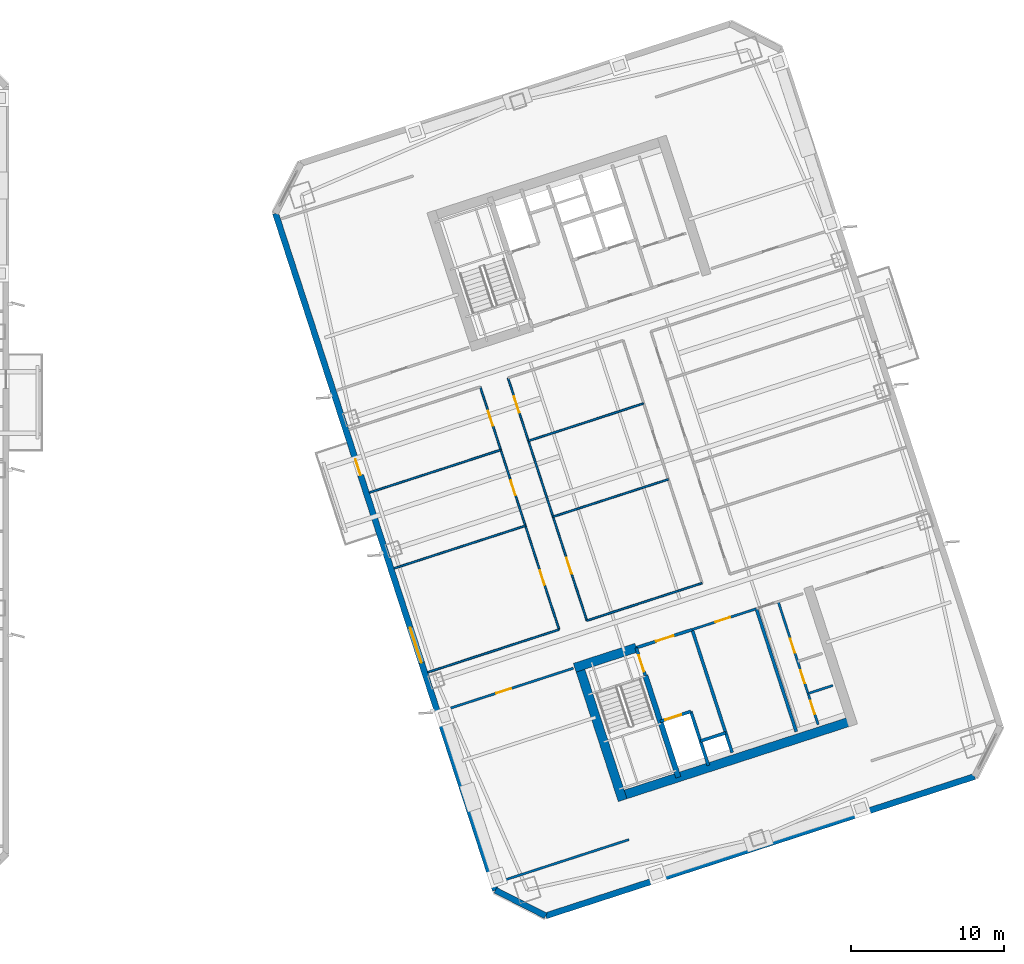
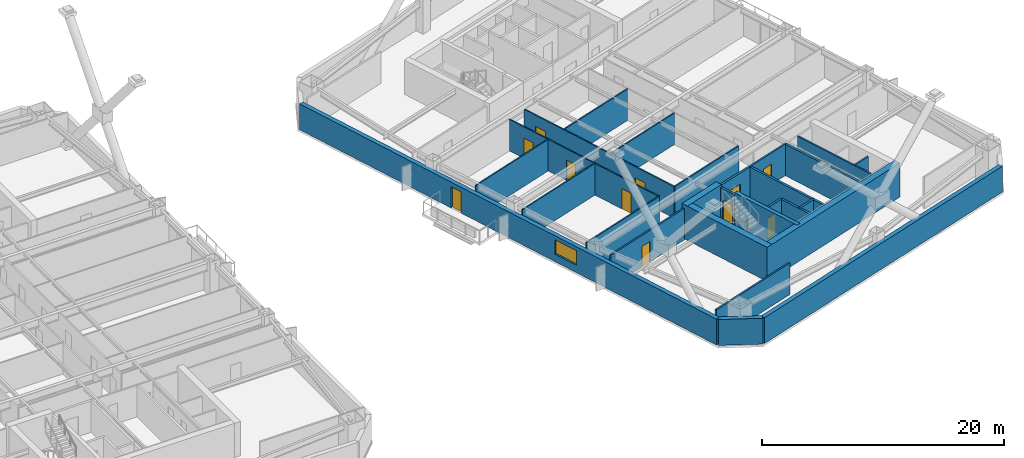
# One storey, part 15 of 24: 27 walls, 14 doors, 1 window, 15 openings.
"""IFC4 building model written with IfcOpenShell, lengths in metres."""

from ifc_helpers import new_model, si_unit, direction, frame, frame_2d, origin, place, context, subcontext, project, spatial, rectangle, extrude, material, layer, layer_set, type_object, element, fill, save


model = new_model("IFC4")

# Units and contexts
model_context = context("Model", 3, precision=1e-05, world=origin(), true_north=direction((0.0, 1.0)))
body_context = subcontext(model_context, "Body", "Model", "MODEL_VIEW")
ifc_project = project(units=[si_unit("LENGTHUNIT", "METRE"), si_unit("AREAUNIT", "SQUARE_METRE"), si_unit("VOLUMEUNIT", "CUBIC_METRE"), si_unit("PLANEANGLEUNIT", "RADIAN"), si_unit("MASSUNIT", "GRAM", prefix="KILO")], contexts=[model_context])

# Site, building, storey
site_placement = place(None, origin())
site = spatial("IfcSite", under=ifc_project, at=site_placement, CompositionType="ELEMENT")
building_placement = place(site_placement, origin())
building = spatial("IfcBuilding", under=site, at=building_placement, Name="Qiaolan Cultural Towers", CompositionType="ELEMENT")
storey_placement = place(building_placement, frame((0.0, 0.0, 120.75)))
storey = spatial("IfcBuildingStorey", under=building, at=storey_placement, Name="L31", CompositionType="ELEMENT", Elevation=120.75)

# Walls
ifc_material_1 = material(Name="Concrete C50", Category="concrete")
ifc_layer_1 = layer(ifc_material_1, 0.35009765625)
ifc_layer_set_1 = layer_set([ifc_layer_1], Name="Concrete C50")
wall_type_1 = type_object("IfcWallType", Name="WL-CORE-350", PredefinedType="SHEAR", material=ifc_layer_set_1)
wall_1_placement = place(storey_placement, frame((90.486328125, 20.59423828125, 0.0), z_axis=(0.0, 0.0, 1.0), x_axis=(0.309020428229, -0.951055400562, 0.0)))
element("IfcWall", 1, at=wall_1_placement, inside=storey, type_object=wall_type_1, Name="L31 T2-CS Stair Core Dividing Web", PredefinedType="SHEAR", context=body_context, shape_type="SweptSolid", body=[
    extrude(rectangle(XDim=6.97998046875, YDim=0.35009765625, at=frame_2d((3.489990234375, 0.0))), origin(), (0.0, 0.0, 1.0), 3.449951171875),
])
ifc_material_2 = material(Name="Concrete C55", Category="concrete")
ifc_layer_2 = layer(ifc_material_2, 0.60009765625)
ifc_layer_set_2 = layer_set([ifc_layer_2], Name="Concrete C55")
wall_type_2 = type_object("IfcWallType", Name="WL-CORE-600", PredefinedType="SHEAR", material=ifc_layer_set_2)
wall_2_placement = place(storey_placement, frame((88.6298828125, 12.65185546875, 0.0), z_axis=(0.0, 0.0, 1.0), x_axis=(0.95105714907, 0.309015046886, 0.0)))
element("IfcWall", 2, at=wall_2_placement, inside=storey, type_object=wall_type_2, Name="L31 T2-CS Outer Core Shear Wall", PredefinedType="SHEAR", context=body_context, shape_type="SweptSolid", body=[
    extrude(rectangle(XDim=16.400146484375, YDim=0.60009765625, at=frame_2d((8.2001953125, 0.0))), origin(), (0.0, 0.0, 1.0), 3.449951171875),
])
wall_3_placement = place(storey_placement, frame((86.078369140625, 21.47509765625, 0.0), z_axis=(0.0, 0.0, 1.0), x_axis=(0.309017938678, -0.951056209472, 0.0)))
element("IfcWall", 3, at=wall_3_placement, inside=storey, type_object=wall_type_2, Name="L31 T2-CS West Core Shear Wall", PredefinedType="SHEAR", context=body_context, shape_type="SweptSolid", body=[
    extrude(rectangle(XDim=9.479736328125, YDim=0.60009765625, at=frame_2d((4.73974609375, 0.0))), origin(), (0.0, 0.0, 1.0), 3.449951171875),
])
wall_4_placement = place(storey_placement, frame((85.8857421875, 21.09716796875, 0.0), z_axis=(0.0, 0.0, 1.0), x_axis=(0.951068073652, 0.308981422225, 0.0)))
element("IfcWall", 4, at=wall_4_placement, inside=storey, type_object=wall_type_2, Name="L31 T2-CS Stair Front Shear Wall", PredefinedType="SHEAR", context=body_context, shape_type="SweptSolid", body=[
    extrude(rectangle(XDim=4.22021484375, YDim=0.60009765625, at=frame_2d((2.110107421875, 0.0))), origin(), (0.0, 0.0, 1.0), 3.449951171875),
])

# Wall, openings, door, window
ifc_material_3 = material(Name="Precast Concrete C50 Honed Stone Pier", Category="masonry")
ifc_layer_3 = layer(ifc_material_3, 0.39990234375)
ifc_layer_set_3 = layer_set([ifc_layer_3], Name="Precast Concrete C50 Honed Stone Pier")
wall_type_3 = type_object("IfcWallType", Name="WL-EXT-PIER-400", PredefinedType="SOLIDWALL", material=ifc_layer_set_3)
wall_5_placement = place(storey_placement, frame((80.7158203125, 6.589599609375, 0.0), z_axis=(0.0, 0.0, 1.0), x_axis=(-0.309017542002, 0.95105633836, 0.0)))
wall_5 = element("IfcWall", 5, at=wall_5_placement, inside=storey, type_object=wall_type_3, Name="L31 East Tower Precast Pier Facade Wall F1", PredefinedType="SOLIDWALL", context=body_context, shape_type="SweptSolid", body=[
    extrude(rectangle(XDim=46.39990234375, YDim=0.39990234375, at=frame_2d((23.199951171875, 0.0))), origin(), (0.0, 0.0, 1.0), 2.610107421875),
])
opening_1_placement = place(wall_5_placement, frame((15.60009765625, 0.0, 0.75)))
opening_1 = element("IfcOpeningElement", 6, at=opening_1_placement, cuts=wall_5, Name="Opening W-02", PredefinedType="OPENING", context=body_context, shape_type="SweptSolid", body=[
    extrude(rectangle(XDim=2.39990234375, YDim=1.4599609375, at=frame_2d((1.199951171875, 0.72998046875))), frame((0.0, 0.2099609375, 0.0), z_axis=(0.0, -1.0, 0.0), x_axis=(1.0, 0.0, 0.0)), (0.0, 0.0, 1.0), 0.419921875),
])
opening_2_placement = place(wall_5_placement, frame((28.449951171875, 0.0, 0.0)))
opening_2 = element("IfcOpeningElement", 7, at=opening_2_placement, cuts=wall_5, Name="Opening BD-01", PredefinedType="OPENING", context=body_context, shape_type="SweptSolid", body=[
    extrude(rectangle(XDim=1.10009765625, YDim=2.14990234375, at=frame_2d((0.550048828125, 1.074951171875))), frame((0.0, 0.2099609375, 0.0), z_axis=(0.0, -1.0, 0.0), x_axis=(1.0, 0.0, 0.0)), (0.0, 0.0, 1.0), 0.419921875),
])
ifc_material_4 = material(Name="Thermally Broken Aluminium Glazed Terrace Door", Category="aluminium")
door_type_1 = type_object("IfcDoorType", Name="DR-BAL-1100", OperationType="NOTDEFINED", PredefinedType="DOOR", material=ifc_material_4)
door_1_placement = place(opening_2_placement, origin())
door_1 = element("IfcDoor", 8, at=door_1_placement, inside=storey, type_object=door_type_1, Name="L31 T2 West Tree Balcony Door", OperationType="SINGLE_SWING_LEFT", OverallHeight=2.14990234375, OverallWidth=1.10009765625, PredefinedType="DOOR", context=body_context, shape_type="SweptSolid", body=[
    extrude(rectangle(XDim=1.10009765625, YDim=2.14990234375, at=frame_2d((0.550048828125, 1.074951171875))), frame((0.0, 0.02490234375, 0.0), z_axis=(0.0, -1.0, 0.0), x_axis=(1.0, 0.0, 0.0)), (0.0, 0.0, 1.0), 0.050048828125),
])
fill(opening_2, door_1)
ifc_material_5 = material(Name="Thermally Broken Aluminium Triple Low-E Glazing", Category="aluminium")
window_type = type_object("IfcWindowType", Name="WN-CHIC-2400", PartitioningType="SINGLE_PANEL", PredefinedType="WINDOW", material=ifc_material_5)
window_placement = place(opening_1_placement, origin())
window = element("IfcWindow", 9, at=window_placement, inside=storey, type_object=window_type, Name="L31 T2 W Chicago Bay Window 1", OverallHeight=1.4599609375, OverallWidth=2.39990234375, PartitioningType="TRIPLE_PANEL_VERTICAL", PredefinedType="WINDOW", context=body_context, shape_type="SweptSolid", body=[
    extrude(rectangle(XDim=2.39990234375, YDim=1.4599609375, at=frame_2d((1.199951171875, 0.72998046875))), frame((0.0, 0.030029296875, 0.0), z_axis=(0.0, -1.0, 0.0), x_axis=(1.0, 0.0, 0.0)), (0.0, 0.0, 1.0), 0.06005859375),
])
fill(opening_1, window)

# Walls
wall_6_placement = place(storey_placement, frame((111.953125, 14.00537109375, 0.0), z_axis=(0.0, 0.0, 1.0), x_axis=(-0.95105505922, -0.309021478754, 0.0)))
element("IfcWall", 10, at=wall_6_placement, inside=storey, type_object=wall_type_3, Name="L31 East Tower Precast Pier Facade Wall F7", PredefinedType="SOLIDWALL", context=body_context, shape_type="SweptSolid", body=[
    extrude(rectangle(XDim=29.39990234375, YDim=0.39990234375, at=frame_2d((14.699951171875, 0.0))), origin(), (0.0, 0.0, 1.0), 2.610107421875),
])
wall_7_placement = place(storey_placement, frame((83.9921875, 4.920166015625, 0.0), z_axis=(0.0, 0.0, 1.0), x_axis=(-0.891001999643, 0.45399937955, 0.0)))
element("IfcWall", 11, at=wall_7_placement, inside=storey, type_object=wall_type_3, Name="L31 East Tower Precast Pier Facade Wall F8", PredefinedType="SOLIDWALL", context=body_context, shape_type="SweptSolid", body=[
    extrude(rectangle(XDim=3.67724609375, YDim=0.39990234375, at=frame_2d((1.838623046875, 0.0))), origin(), (0.0, 0.0, 1.0), 2.610107421875),
])

# Wall, opening, door
ifc_material_6 = material(Name="Concrete C35 Fire Wall", Category="concrete")
ifc_layer_4 = layer(ifc_material_6, 0.199951171875)
ifc_layer_set_4 = layer_set([ifc_layer_4], Name="Concrete C35 Fire Wall")
wall_type_4 = type_object("IfcWallType", Name="WL-FIRE-200", PredefinedType="PARTITIONING", material=ifc_layer_set_4)
wall_8_placement = place(storey_placement, frame((89.8994140625, 22.401123046875, 0.0), z_axis=(0.0, 0.0, 1.0), x_axis=(0.308932062672, -0.951084108086, 0.0)))
wall_8 = element("IfcWall", 12, at=wall_8_placement, inside=storey, type_object=wall_type_4, Name="L31 T2-CS Smokeproof Stair Entry Wall", PredefinedType="PARTITIONING", context=body_context, shape_type="SweptSolid", body=[
    extrude(rectangle(XDim=1.89990234375, YDim=0.199951171875, at=frame_2d((0.949951171875, 0.0))), origin(), (0.0, 0.0, 1.0), 3.175048828125),
])
opening_3_placement = place(wall_8_placement, frame((0.52001953125, 0.0, 0.0)))
opening_3 = element("IfcOpeningElement", 13, at=opening_3_placement, cuts=wall_8, Name="Opening FD-04", PredefinedType="OPENING", context=body_context, shape_type="SweptSolid", body=[
    extrude(rectangle(XDim=1.10009765625, YDim=2.050048828125, at=frame_2d((0.550048828125, 1.02490234375))), frame((0.0, 0.10986328125, 0.0), z_axis=(0.0, -1.0, 0.0), x_axis=(1.0, 0.0, 0.0)), (0.0, 0.0, 1.0), 0.219970703125),
])
ifc_material_7 = material(Name="Galvanized Steel Command Fire Door", Category="steel")
door_type_2 = type_object("IfcDoorType", Name="DR-FD90-1100", OperationType="NOTDEFINED", PredefinedType="DOOR", material=ifc_material_7)
door_2_placement = place(opening_3_placement, origin())
door_2 = element("IfcDoor", 14, at=door_2_placement, inside=storey, type_object=door_type_2, Name="L31 ST-E1 Smokeproof Stair Fire Door", OperationType="SINGLE_SWING_LEFT", OverallHeight=2.050048828125, OverallWidth=1.10009765625, PredefinedType="DOOR", context=body_context, shape_type="SweptSolid", body=[
    extrude(rectangle(XDim=1.10009765625, YDim=2.050048828125, at=frame_2d((0.550048828125, 1.02490234375))), frame((0.0, 0.02490234375, 0.0), z_axis=(0.0, -1.0, 0.0), x_axis=(1.0, 0.0, 0.0)), (0.0, 0.0, 1.0), 0.050048828125),
])
fill(opening_3, door_2)

# Wall
wall_9_placement = place(storey_placement, frame((93.541748046875, 23.584716796875, 0.0), z_axis=(0.0, 0.0, 1.0), x_axis=(0.309042196757, -0.951048327176, 0.0)))
element("IfcWall", 15, at=wall_9_placement, inside=storey, type_object=wall_type_4, Name="L31 T2-CS Firefighting Zone Wall", PredefinedType="PARTITIONING", context=body_context, shape_type="SweptSolid", body=[
    extrude(rectangle(XDim=8.429931640625, YDim=0.199951171875, at=frame_2d((4.21484375, 0.0))), origin(), (0.0, 0.0, 1.0), 3.175048828125),
])

# Wall, opening, door
wall_10_placement = place(storey_placement, frame((89.8994140625, 22.401123046875, 0.0), z_axis=(0.0, 0.0, 1.0), x_axis=(0.951046716504, 0.309047153403, 0.0)))
wall_10 = element("IfcWall", 16, at=wall_10_placement, inside=storey, type_object=wall_type_4, Name="L31 T2-CS Firefighting Lobby Front Wall", PredefinedType="PARTITIONING", context=body_context, shape_type="SweptSolid", body=[
    extrude(rectangle(XDim=3.829833984375, YDim=0.199951171875, at=frame_2d((1.9150390625, 0.0))), origin(), (0.0, 0.0, 1.0), 3.175048828125),
])
opening_4_placement = place(wall_10_placement, frame((1.35009765625, 0.0, 0.0)))
opening_4 = element("IfcOpeningElement", 17, at=opening_4_placement, cuts=wall_10, Name="Opening FD-03", PredefinedType="OPENING", context=body_context, shape_type="SweptSolid", body=[
    extrude(rectangle(XDim=1.199951171875, YDim=2.050048828125, at=frame_2d((0.60009765625, 1.02490234375))), frame((0.0, 0.10986328125, 0.0), z_axis=(0.0, -1.0, 0.0), x_axis=(1.0, 0.0, 0.0)), (0.0, 0.0, 1.0), 0.219970703125),
])
ifc_material_8 = material(Name="Galvanized Steel Smokeproof Lobby Fire Door", Category="steel")
door_type_3 = type_object("IfcDoorType", Name="DR-FD90-1200", OperationType="NOTDEFINED", PredefinedType="DOOR", material=ifc_material_8)
door_3_placement = place(opening_4_placement, origin())
door_3 = element("IfcDoor", 18, at=door_3_placement, inside=storey, type_object=door_type_3, Name="L31 FFL-E1 Firefighting Lobby Fire Door", OperationType="SINGLE_SWING_LEFT", OverallHeight=2.050048828125, OverallWidth=1.199951171875, PredefinedType="DOOR", context=body_context, shape_type="SweptSolid", body=[
    extrude(rectangle(XDim=1.199951171875, YDim=2.050048828125, at=frame_2d((0.60009765625, 1.02490234375))), frame((0.0, 0.02490234375, 0.0), z_axis=(0.0, -1.0, 0.0), x_axis=(1.0, 0.0, 0.0)), (0.0, 0.0, 1.0), 0.050048828125),
])
fill(opening_4, door_3)

wall_11_placement = place(storey_placement, frame((91.459716796875, 17.598388671875, 0.0), z_axis=(0.0, 0.0, 1.0), x_axis=(0.951062257173, 0.308999325213, 0.0)))
wall_11 = element("IfcWall", 19, at=wall_11_placement, inside=storey, type_object=wall_type_4, Name="L31 T2-CS Firefighting Shaft Front Wall", PredefinedType="PARTITIONING", context=body_context, shape_type="SweptSolid", body=[
    extrude(rectangle(XDim=2.10009765625, YDim=0.199951171875, at=frame_2d((1.050048828125, 0.0))), origin(), (0.0, 0.0, 1.0), 3.175048828125),
])
opening_5_placement = place(wall_11_placement, frame((0.35009765625, 0.0, 0.0)))
opening_5 = element("IfcOpeningElement", 20, at=opening_5_placement, cuts=wall_11, Name="Opening LD-01", PredefinedType="OPENING", context=body_context, shape_type="SweptSolid", body=[
    extrude(rectangle(XDim=1.10009765625, YDim=2.050048828125, at=frame_2d((0.550048828125, 1.02490234375))), frame((0.0, 0.10986328125, 0.0), z_axis=(0.0, -1.0, 0.0), x_axis=(1.0, 0.0, 0.0)), (0.0, 0.0, 1.0), 0.219970703125),
])
ifc_material_9 = material(Name="Brushed Stainless Steel S30408 Centre-Parting Lift Landing Door", Category="steel")
door_type_4 = type_object("IfcDoorType", Name="DR-LIFT-1100", OperationType="NOTDEFINED", PredefinedType="DOOR", material=ifc_material_9)
door_4_placement = place(opening_5_placement, origin())
door_4 = element("IfcDoor", 21, at=door_4_placement, inside=storey, type_object=door_type_4, Name="L31 FFL-E1 Firefighting Lift Landing Door", OperationType="DOUBLE_DOOR_SLIDING", OverallHeight=2.050048828125, OverallWidth=1.10009765625, PredefinedType="DOOR", context=body_context, shape_type="SweptSolid", body=[
    extrude(rectangle(XDim=1.10009765625, YDim=2.050048828125, at=frame_2d((0.550048828125, 1.02490234375))), frame((0.0, 0.02490234375, 0.0), z_axis=(0.0, -1.0, 0.0), x_axis=(1.0, 0.0, 0.0)), (0.0, 0.0, 1.0), 0.050048828125),
])
fill(opening_5, door_4)

# Walls
wall_12_placement = place(storey_placement, frame((93.45703125, 18.247314453125, 0.0), z_axis=(0.0, 0.0, 1.0), x_axis=(0.3089935693, -0.951064127245, 0.0)))
element("IfcWall", 22, at=wall_12_placement, inside=storey, type_object=wall_type_4, Name="L31 T2-CS Firefighting Hoistway East Wall", PredefinedType="PARTITIONING", context=body_context, shape_type="SweptSolid", body=[
    extrude(rectangle(XDim=3.7001953125, YDim=0.199951171875, at=frame_2d((1.85009765625, 0.0))), origin(), (0.0, 0.0, 1.0), 3.175048828125),
])
wall_13_placement = place(storey_placement, frame((94.08447265625, 16.316650390625, 0.0), z_axis=(0.0, 0.0, 1.0), x_axis=(0.951041328149, 0.309063734775, 0.0)))
element("IfcWall", 23, at=wall_13_placement, inside=storey, type_object=wall_type_4, Name="L31 T2-CS Pressurization Shaft Front Wall", PredefinedType="PARTITIONING", context=body_context, shape_type="SweptSolid", body=[
    extrude(rectangle(XDim=1.72998046875, YDim=0.199951171875, at=frame_2d((0.864990234375, 0.0))), origin(), (0.0, 0.0, 1.0), 3.175048828125),
])
wall_14_placement = place(storey_placement, frame((97.7265625, 24.9443359375, 0.0), z_axis=(0.0, 0.0, 1.0), x_axis=(0.309016001439, -0.951056838919, 0.0)))
element("IfcWall", 24, at=wall_14_placement, inside=storey, type_object=wall_type_4, Name="L31 T2-CS Lift Core East Wall", PredefinedType="PARTITIONING", context=body_context, shape_type="SweptSolid", body=[
    extrude(rectangle(XDim=8.429931640625, YDim=0.199951171875, at=frame_2d((4.21484375, 0.0))), origin(), (0.0, 0.0, 1.0), 3.175048828125),
])
ifc_material_10 = material(Name="Gypsum Stud Acoustic Partition", Category="gypsum")
ifc_layer_5 = layer(ifc_material_10, 0.1201171875)
ifc_layer_set_5 = layer_set([ifc_layer_5], Name="Gypsum Stud Acoustic Partition")
wall_type_5 = type_object("IfcWallType", Name="WL-PART-120", PredefinedType="PARTITIONING", material=ifc_layer_set_5)
wall_15_placement = place(storey_placement, frame((76.307861328125, 20.802978515625, 0.0), z_axis=(0.0, 0.0, 1.0), x_axis=(0.951054001411, 0.309024734286, 0.0)))
element("IfcWall", 25, at=wall_15_placement, inside=storey, type_object=wall_type_5, Name="L31 T2 Interior Wall", PredefinedType="PARTITIONING", context=body_context, shape_type="SweptSolid", body=[
    extrude(rectangle(XDim=9.0, YDim=0.1201171875, at=frame_2d((4.5, 0.0))), origin(), (0.0, 0.0, 1.0), 3.175048828125),
])
wall_16_placement = place(storey_placement, frame((86.674560546875, 24.17138671875, 0.0), z_axis=(0.0, 0.0, 1.0), x_axis=(0.951057231385, 0.309014793547, 0.0)))
element("IfcWall", 26, at=wall_16_placement, inside=storey, type_object=wall_type_5, Name="L31 T2 Interior Wall", PredefinedType="PARTITIONING", context=body_context, shape_type="SweptSolid", body=[
    extrude(rectangle(XDim=7.89990234375, YDim=0.1201171875, at=frame_2d((3.949951171875, 0.0))), origin(), (0.0, 0.0, 1.0), 3.175048828125),
])

# Wall, openings, doors
wall_17_placement = place(storey_placement, frame((84.867431640625, 23.584228515625, 0.0), z_axis=(0.0, 0.0, 1.0), x_axis=(-0.309022042254, 0.951054876125, 0.0)))
wall_17 = element("IfcWall", 27, at=wall_17_placement, inside=storey, type_object=wall_type_5, Name="L31 T2 Interior Wall", PredefinedType="PARTITIONING", context=body_context, shape_type="SweptSolid", body=[
    extrude(rectangle(XDim=16.639892578125, YDim=0.1201171875, at=frame_2d((8.31982421875, 0.0))), origin(), (0.0, 0.0, 1.0), 3.175048828125),
])
opening_6_placement = place(wall_17_placement, frame((3.06005859375, 0.0, 0.0)))
opening_6 = element("IfcOpeningElement", 28, at=opening_6_placement, cuts=wall_17, Name="Opening ID-04", PredefinedType="OPENING", context=body_context, shape_type="SweptSolid", body=[
    extrude(rectangle(XDim=1.0, YDim=2.050048828125, at=frame_2d((0.5, 1.02490234375))), frame((0.0, 0.070068359375, 0.0), z_axis=(0.0, -1.0, 0.0), x_axis=(1.0, 0.0, 0.0)), (0.0, 0.0, 1.0), 0.14013671875),
])
opening_7_placement = place(wall_17_placement, frame((9.219970703125, 0.0, 0.0)))
opening_7 = element("IfcOpeningElement", 29, at=opening_7_placement, cuts=wall_17, Name="Opening ID-04", PredefinedType="OPENING", context=body_context, shape_type="SweptSolid", body=[
    extrude(rectangle(XDim=1.0, YDim=2.050048828125, at=frame_2d((0.5, 1.02490234375))), frame((0.0, 0.070068359375, 0.0), z_axis=(0.0, -1.0, 0.0), x_axis=(1.0, 0.0, 0.0)), (0.0, 0.0, 1.0), 0.14013671875),
])
opening_8_placement = place(wall_17_placement, frame((13.97998046875, 0.0, 0.0)))
opening_8 = element("IfcOpeningElement", 30, at=opening_8_placement, cuts=wall_17, Name="Opening ID-04", PredefinedType="OPENING", context=body_context, shape_type="SweptSolid", body=[
    extrude(rectangle(XDim=1.0, YDim=2.050048828125, at=frame_2d((0.5, 1.02490234375))), frame((0.0, 0.070068359375, 0.0), z_axis=(0.0, -1.0, 0.0), x_axis=(1.0, 0.0, 0.0)), (0.0, 0.0, 1.0), 0.14013671875),
])
ifc_material_11 = material(Name="Oak Veneer Acoustic Office Door", Category="timber")
door_type_5 = type_object("IfcDoorType", Name="DR-INT-1000", OperationType="NOTDEFINED", PredefinedType="DOOR", material=ifc_material_11)
door_5_placement = place(opening_6_placement, origin())
door_5 = element("IfcDoor", 31, at=door_5_placement, inside=storey, type_object=door_type_5, Name="L31 T2 Publication Showroom Door", OperationType="SINGLE_SWING_LEFT", OverallHeight=2.050048828125, OverallWidth=1.0, PredefinedType="DOOR", context=body_context, shape_type="SweptSolid", body=[
    extrude(rectangle(XDim=1.0, YDim=2.050048828125, at=frame_2d((0.5, 1.02490234375))), frame((0.0, 0.02490234375, 0.0), z_axis=(0.0, -1.0, 0.0), x_axis=(1.0, 0.0, 0.0)), (0.0, 0.0, 1.0), 0.050048828125),
])
fill(opening_6, door_5)
door_6_placement = place(opening_7_placement, origin())
door_6 = element("IfcDoor", 32, at=door_6_placement, inside=storey, type_object=door_type_5, Name="L31 T2 Publication Showroom Door", OperationType="SINGLE_SWING_RIGHT", OverallHeight=2.050048828125, OverallWidth=1.0, PredefinedType="DOOR", context=body_context, shape_type="SweptSolid", body=[
    extrude(rectangle(XDim=1.0, YDim=2.050048828125, at=frame_2d((0.5, 1.02490234375))), frame((0.0, 0.02490234375, 0.0), z_axis=(0.0, -1.0, 0.0), x_axis=(1.0, 0.0, 0.0)), (0.0, 0.0, 1.0), 0.050048828125),
])
fill(opening_7, door_6)
door_7_placement = place(opening_8_placement, origin())
door_7 = element("IfcDoor", 33, at=door_7_placement, inside=storey, type_object=door_type_5, Name="L31 T2 Cataloguing Kitchenette Door", OperationType="SINGLE_SWING_LEFT", OverallHeight=2.050048828125, OverallWidth=1.0, PredefinedType="DOOR", context=body_context, shape_type="SweptSolid", body=[
    extrude(rectangle(XDim=1.0, YDim=2.050048828125, at=frame_2d((0.5, 1.02490234375))), frame((0.0, 0.02490234375, 0.0), z_axis=(0.0, -1.0, 0.0), x_axis=(1.0, 0.0, 0.0)), (0.0, 0.0, 1.0), 0.050048828125),
])
fill(opening_8, door_7)

wall_18_placement = place(storey_placement, frame((86.674560546875, 24.17138671875, 0.0), z_axis=(0.0, 0.0, 1.0), x_axis=(-0.309022042254, 0.951054876125, 0.0)))
wall_18 = element("IfcWall", 34, at=wall_18_placement, inside=storey, type_object=wall_type_5, Name="L31 T2 Interior Wall", PredefinedType="PARTITIONING", context=body_context, shape_type="SweptSolid", body=[
    extrude(rectangle(XDim=16.639892578125, YDim=0.1201171875, at=frame_2d((8.31982421875, 0.0))), origin(), (0.0, 0.0, 1.0), 3.175048828125),
])
opening_9_placement = place(wall_18_placement, frame((3.2041015625, 0.0, 0.0)))
opening_9 = element("IfcOpeningElement", 35, at=opening_9_placement, cuts=wall_18, Name="Opening ID-03", PredefinedType="OPENING", context=body_context, shape_type="SweptSolid", body=[
    extrude(rectangle(XDim=1.10009765625, YDim=2.050048828125, at=frame_2d((0.550048828125, 1.02490234375))), frame((0.0, 0.070068359375, 0.0), z_axis=(0.0, -1.0, 0.0), x_axis=(1.0, 0.0, 0.0)), (0.0, 0.0, 1.0), 0.14013671875),
])
opening_10_placement = place(wall_18_placement, frame((14.263916015625, 0.0, 0.0)))
opening_10 = element("IfcOpeningElement", 36, at=opening_10_placement, cuts=wall_18, Name="Opening ID-03", PredefinedType="OPENING", context=body_context, shape_type="SweptSolid", body=[
    extrude(rectangle(XDim=1.10009765625, YDim=2.050048828125, at=frame_2d((0.550048828125, 1.02490234375))), frame((0.0, 0.070068359375, 0.0), z_axis=(0.0, -1.0, 0.0), x_axis=(1.0, 0.0, 0.0)), (0.0, 0.0, 1.0), 0.14013671875),
])
ifc_material_12 = material(Name="Oak Veneer Solid-Core Boardroom Door", Category="timber")
door_type_6 = type_object("IfcDoorType", Name="DR-INT-1100", OperationType="NOTDEFINED", PredefinedType="DOOR", material=ifc_material_12)
door_8_placement = place(opening_9_placement, origin())
door_8 = element("IfcDoor", 37, at=door_8_placement, inside=storey, type_object=door_type_6, Name="L31 T2 Central Boardroom Door", OperationType="SINGLE_SWING_LEFT", OverallHeight=2.050048828125, OverallWidth=1.10009765625, PredefinedType="DOOR", context=body_context, shape_type="SweptSolid", body=[
    extrude(rectangle(XDim=1.10009765625, YDim=2.050048828125, at=frame_2d((0.550048828125, 1.02490234375))), frame((0.0, 0.02490234375, 0.0), z_axis=(0.0, -1.0, 0.0), x_axis=(1.0, 0.0, 0.0)), (0.0, 0.0, 1.0), 0.050048828125),
])
fill(opening_9, door_8)
door_9_placement = place(opening_10_placement, origin())
door_9 = element("IfcDoor", 38, at=door_9_placement, inside=storey, type_object=door_type_6, Name="L31 T2 Central Archive Room Door", OperationType="SINGLE_SWING_RIGHT", OverallHeight=2.050048828125, OverallWidth=1.10009765625, PredefinedType="DOOR", context=body_context, shape_type="SweptSolid", body=[
    extrude(rectangle(XDim=1.10009765625, YDim=2.050048828125, at=frame_2d((0.550048828125, 1.02490234375))), frame((0.0, 0.02490234375, 0.0), z_axis=(0.0, -1.0, 0.0), x_axis=(1.0, 0.0, 0.0)), (0.0, 0.0, 1.0), 0.050048828125),
])
fill(opening_10, door_9)

# Walls
for number, where, z_axis, x_axis, name in (
    (39, (84.474365234375, 30.94287109375, 0.0), (0.0, 0.0, 1.0), (0.951057231385, 0.309014793547, 0.0), "L31 T2 Interior Wall"),
    (40, (82.867431640625, 35.888427734375, 0.0), (0.0, 0.0, 1.0), (0.951057231385, 0.309014793547, 0.0), "L31 T2 Interior Wall"),
):
    element("IfcWall", number, at=place(storey_placement, frame(where, z_axis=z_axis, x_axis=x_axis)), inside=storey, type_object=wall_type_5, Name=name, PredefinedType="PARTITIONING", context=body_context, shape_type="SweptSolid", body=[
        extrude(rectangle(XDim=7.89990234375, YDim=0.1201171875, at=frame_2d((3.949951171875, 0.0))), origin(), (0.0, 0.0, 1.0), 3.175048828125),
    ])
wall_19_placement = place(storey_placement, frame((74.107666015625, 27.574462890625, 0.0), z_axis=(0.0, 0.0, 1.0), x_axis=(0.951054001411, 0.309024734286, 0.0)))
element("IfcWall", 41, at=wall_19_placement, inside=storey, type_object=wall_type_5, Name="L31 T2 Interior Wall", PredefinedType="PARTITIONING", context=body_context, shape_type="SweptSolid", body=[
    extrude(rectangle(XDim=9.0, YDim=0.1201171875, at=frame_2d((4.5, 0.0))), origin(), (0.0, 0.0, 1.0), 3.175048828125),
])
wall_20_placement = place(storey_placement, frame((72.5009765625, 32.52001953125, 0.0), z_axis=(0.0, 0.0, 1.0), x_axis=(0.951051410833, 0.309032706929, 0.0)))
element("IfcWall", 42, at=wall_20_placement, inside=storey, type_object=wall_type_5, Name="L31 T2 Interior Wall", PredefinedType="PARTITIONING", context=body_context, shape_type="SweptSolid", body=[
    extrude(rectangle(XDim=8.999755859375, YDim=0.1201171875, at=frame_2d((4.5, 0.0))), origin(), (0.0, 0.0, 1.0), 3.175048828125),
])

# Wall, opening, door
ifc_material_13 = material(Name="Autoclaved Aerated Concrete Block B06", Category="concrete")
ifc_layer_6 = layer(ifc_material_13, 0.14990234375)
ifc_layer_set_6 = layer_set([ifc_layer_6], Name="Autoclaved Aerated Concrete Block B06")
wall_type_6 = type_object("IfcWallType", Name="WL-PART-150", PredefinedType="PARTITIONING", material=ifc_layer_set_6)
wall_21_placement = place(storey_placement, frame((93.541748046875, 23.584716796875, 0.0), z_axis=(0.0, 0.0, 1.0), x_axis=(0.951063829732, 0.308994485023, 0.0)))
wall_21 = element("IfcWall", 43, at=wall_21_placement, inside=storey, type_object=wall_type_6, Name="L31 T2-CS Reclaimed Core Room Front Wall", PredefinedType="PARTITIONING", context=body_context, shape_type="SweptSolid", body=[
    extrude(rectangle(XDim=4.400146484375, YDim=0.14990234375, at=frame_2d((2.2001953125, 0.0))), origin(), (0.0, 0.0, 1.0), 3.175048828125),
])
opening_11_placement = place(wall_21_placement, frame((1.60009765625, 0.0, 0.0)))
opening_11 = element("IfcOpeningElement", 44, at=opening_11_placement, cuts=wall_21, Name="Opening ID-04", PredefinedType="OPENING", context=body_context, shape_type="SweptSolid", body=[
    extrude(rectangle(XDim=1.0, YDim=2.050048828125, at=frame_2d((0.5, 1.02490234375))), frame((0.0, 0.0849609375, 0.0), z_axis=(0.0, -1.0, 0.0), x_axis=(1.0, 0.0, 0.0)), (0.0, 0.0, 1.0), 0.169921875),
])
door_10_placement = place(opening_11_placement, origin())
door_10 = element("IfcDoor", 45, at=door_10_placement, inside=storey, type_object=door_type_5, Name="L31 Reclaimed Archive Room Door", OperationType="SINGLE_SWING_LEFT", OverallHeight=2.050048828125, OverallWidth=1.0, PredefinedType="DOOR", context=body_context, shape_type="SweptSolid", body=[
    extrude(rectangle(XDim=1.0, YDim=2.050048828125, at=frame_2d((0.5, 1.02490234375))), frame((0.0, 0.02490234375, 0.0), z_axis=(0.0, -1.0, 0.0), x_axis=(1.0, 0.0, 0.0)), (0.0, 0.0, 1.0), 0.050048828125),
])
fill(opening_11, door_10)

# Wall, openings, doors
wall_22_placement = place(storey_placement, frame((99.153076171875, 25.407958984375, 0.0), z_axis=(0.0, 0.0, 1.0), x_axis=(0.309016001439, -0.951056838919, 0.0)))
wall_22 = element("IfcWall", 46, at=wall_22_placement, inside=storey, type_object=wall_type_6, Name="L31 T2-CS Sanitary Vestibule Wall", PredefinedType="PARTITIONING", context=body_context, shape_type="SweptSolid", body=[
    extrude(rectangle(XDim=8.429931640625, YDim=0.14990234375, at=frame_2d((4.21484375, 0.0))), origin(), (0.0, 0.0, 1.0), 3.175048828125),
])
opening_12_placement = place(wall_22_placement, frame((2.550048828125, 0.0, 0.0)))
opening_12 = element("IfcOpeningElement", 47, at=opening_12_placement, cuts=wall_22, Name="Opening ID-05", PredefinedType="OPENING", context=body_context, shape_type="SweptSolid", body=[
    extrude(rectangle(XDim=0.949951171875, YDim=2.050048828125, at=frame_2d((0.47509765625, 1.02490234375))), frame((0.0, 0.0849609375, 0.0), z_axis=(0.0, -1.0, 0.0), x_axis=(1.0, 0.0, 0.0)), (0.0, 0.0, 1.0), 0.169921875),
])
opening_13_placement = place(wall_22_placement, frame((4.699951171875, 0.0, 0.0)))
opening_13 = element("IfcOpeningElement", 48, at=opening_13_placement, cuts=wall_22, Name="Opening ID-06", PredefinedType="OPENING", context=body_context, shape_type="SweptSolid", body=[
    extrude(rectangle(XDim=0.89990234375, YDim=2.050048828125, at=frame_2d((0.449951171875, 1.02490234375))), frame((0.0, 0.0849609375, 0.0), z_axis=(0.0, -1.0, 0.0), x_axis=(1.0, 0.0, 0.0)), (0.0, 0.0, 1.0), 0.169921875),
])
opening_14_placement = place(wall_22_placement, frame((6.800048828125, 0.0, 0.0)))
opening_14 = element("IfcOpeningElement", 49, at=opening_14_placement, cuts=wall_22, Name="Opening ID-06", PredefinedType="OPENING", context=body_context, shape_type="SweptSolid", body=[
    extrude(rectangle(XDim=0.89990234375, YDim=2.050048828125, at=frame_2d((0.449951171875, 1.02490234375))), frame((0.0, 0.0849609375, 0.0), z_axis=(0.0, -1.0, 0.0), x_axis=(1.0, 0.0, 0.0)), (0.0, 0.0, 1.0), 0.169921875),
])
ifc_material_14 = material(Name="Fire-Rated Laminate Core Service Door", Category="timber")
door_type_7 = type_object("IfcDoorType", Name="DR-INT-900", OperationType="NOTDEFINED", PredefinedType="DOOR", material=ifc_material_14)
door_11_placement = place(opening_13_placement, origin())
door_11 = element("IfcDoor", 50, at=door_11_placement, inside=storey, type_object=door_type_7, Name="L31 Men Washroom Door", OperationType="SINGLE_SWING_LEFT", OverallHeight=2.050048828125, OverallWidth=0.89990234375, PredefinedType="DOOR", context=body_context, shape_type="SweptSolid", body=[
    extrude(rectangle(XDim=0.89990234375, YDim=2.050048828125, at=frame_2d((0.449951171875, 1.02490234375))), frame((0.0, 0.02490234375, 0.0), z_axis=(0.0, -1.0, 0.0), x_axis=(1.0, 0.0, 0.0)), (0.0, 0.0, 1.0), 0.050048828125),
])
fill(opening_13, door_11)
door_12_placement = place(opening_14_placement, origin())
door_12 = element("IfcDoor", 51, at=door_12_placement, inside=storey, type_object=door_type_7, Name="L31 Women Washroom Door", OperationType="SINGLE_SWING_RIGHT", OverallHeight=2.050048828125, OverallWidth=0.89990234375, PredefinedType="DOOR", context=body_context, shape_type="SweptSolid", body=[
    extrude(rectangle(XDim=0.89990234375, YDim=2.050048828125, at=frame_2d((0.449951171875, 1.02490234375))), frame((0.0, 0.02490234375, 0.0), z_axis=(0.0, -1.0, 0.0), x_axis=(1.0, 0.0, 0.0)), (0.0, 0.0, 1.0), 0.050048828125),
])
fill(opening_14, door_12)
ifc_material_15 = material(Name="Fire-Rated Laminate Accessible Core Door", Category="timber")
door_type_8 = type_object("IfcDoorType", Name="DR-INT-950", OperationType="NOTDEFINED", PredefinedType="DOOR", material=ifc_material_15)
door_13_placement = place(opening_12_placement, origin())
door_13 = element("IfcDoor", 52, at=door_13_placement, inside=storey, type_object=door_type_8, Name="L31 Accessible Family Washroom Door", OperationType="SINGLE_SWING_LEFT", OverallHeight=2.050048828125, OverallWidth=0.949951171875, PredefinedType="DOOR", context=body_context, shape_type="SweptSolid", body=[
    extrude(rectangle(XDim=0.949951171875, YDim=2.050048828125, at=frame_2d((0.47509765625, 1.02490234375))), frame((0.0, 0.02490234375, 0.0), z_axis=(0.0, -1.0, 0.0), x_axis=(1.0, 0.0, 0.0)), (0.0, 0.0, 1.0), 0.050048828125),
])
fill(opening_12, door_13)

# Walls
wall_23_placement = place(storey_placement, frame((101.099853515625, 19.416259765625, 0.0), z_axis=(0.0, 0.0, 1.0), x_axis=(0.951054116971, 0.309024378638, 0.0)))
element("IfcWall", 53, at=wall_23_placement, inside=storey, type_object=wall_type_6, Name="L31 T2-CS Restroom Split Wall 2", PredefinedType="PARTITIONING", context=body_context, shape_type="SweptSolid", body=[
    extrude(rectangle(XDim=1.7001953125, YDim=0.14990234375, at=frame_2d((0.85009765625, 0.0))), origin(), (0.0, 0.0, 1.0), 3.175048828125),
])
wall_24_placement = place(storey_placement, frame((80.76708984375, 7.079345703125, 0.0), z_axis=(0.0, 0.0, 1.0), x_axis=(0.951057133767, 0.309015093986, 0.0)))
element("IfcWall", 54, at=wall_24_placement, inside=storey, type_object=wall_type_6, Name="L31 T2 Flank Wall FLK-SW", PredefinedType="PARTITIONING", context=body_context, shape_type="SweptSolid", body=[
    extrude(rectangle(XDim=9.099853515625, YDim=0.14990234375, at=frame_2d((4.5498046875, 0.0))), origin(), (0.0, 0.0, 1.0), 3.175048828125),
])

# Wall, opening, door
wall_25_placement = place(storey_placement, frame((77.13623046875, 18.254150390625, 0.0), z_axis=(0.0, 0.0, 1.0), x_axis=(0.951057133767, 0.309015093986, 0.0)))
wall_25 = element("IfcWall", 55, at=wall_25_placement, inside=storey, type_object=wall_type_6, Name="L31 T2 Flank Front FLK-SW", PredefinedType="PARTITIONING", context=body_context, shape_type="SweptSolid", body=[
    extrude(rectangle(XDim=9.099853515625, YDim=0.14990234375, at=frame_2d((4.5498046875, 0.0))), origin(), (0.0, 0.0, 1.0), 3.175048828125),
])
opening_15_placement = place(wall_25_placement, frame((3.822021484375, 0.0, 0.0)))
opening_15 = element("IfcOpeningElement", 56, at=opening_15_placement, cuts=wall_25, Name="Opening ID-04", PredefinedType="OPENING", context=body_context, shape_type="SweptSolid", body=[
    extrude(rectangle(XDim=1.0, YDim=2.050048828125, at=frame_2d((0.5, 1.02490234375))), frame((0.0, 0.0849609375, 0.0), z_axis=(0.0, -1.0, 0.0), x_axis=(1.0, 0.0, 0.0)), (0.0, 0.0, 1.0), 0.169921875),
])
door_14_placement = place(opening_15_placement, origin())
door_14 = element("IfcDoor", 57, at=door_14_placement, inside=storey, type_object=door_type_5, Name="L31 T2 Corner Studio Door", OperationType="SINGLE_SWING_LEFT", OverallHeight=2.050048828125, OverallWidth=1.0, PredefinedType="DOOR", context=body_context, shape_type="SweptSolid", body=[
    extrude(rectangle(XDim=1.0, YDim=2.050048828125, at=frame_2d((0.5, 1.02490234375))), frame((0.0, 0.02490234375, 0.0), z_axis=(0.0, -1.0, 0.0), x_axis=(1.0, 0.0, 0.0)), (0.0, 0.0, 1.0), 0.050048828125),
])
fill(opening_15, door_14)

save(model, "model.ifc")
